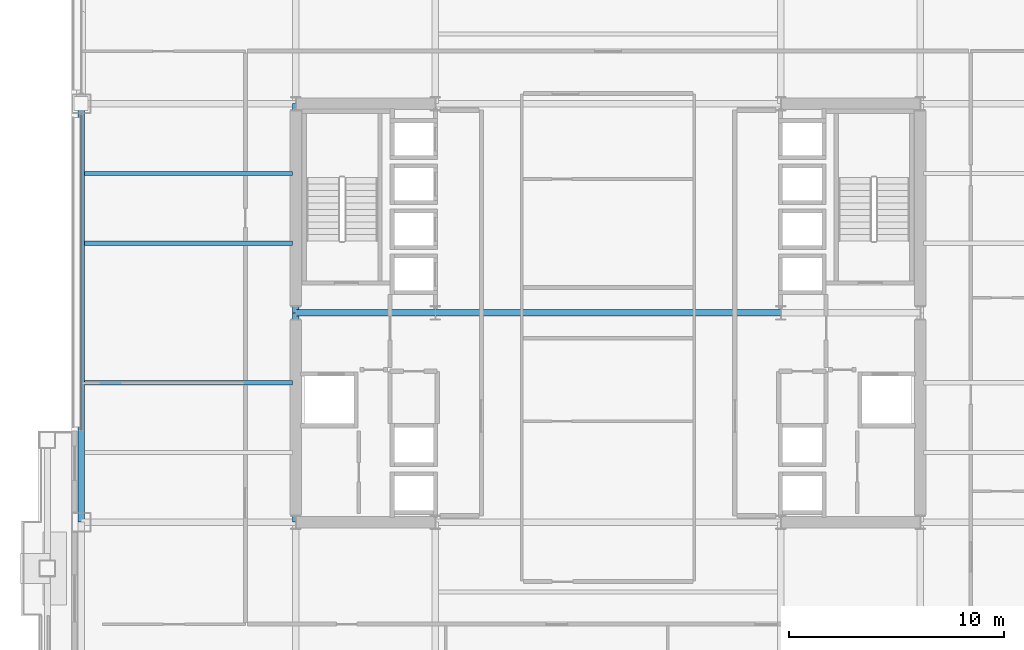
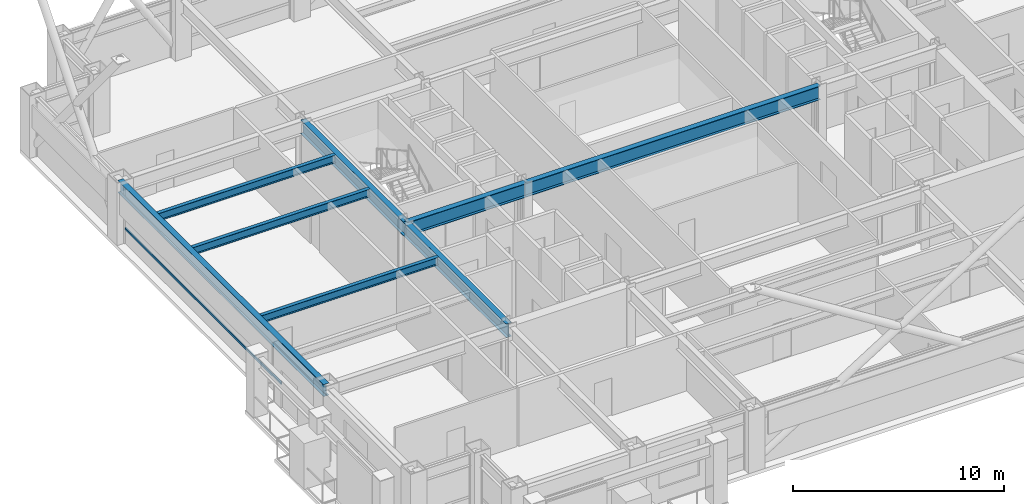
# One storey, part 7 of 30: 8 beams, 1 member, 1 element without a shape of its own.
"""IFC4 building model written with IfcOpenShell, lengths in metres."""

import ifcopenshell
import ifcopenshell.guid

model = None  # the IFC model being written
_history = None  # IfcOwnerHistory: only IFC2X3 demands one
_inside = {}  # id of a spatial element -> (the spatial element, [elements in it])
_under = {}  # id of a project, library or spatial element -> (it, [spatial elements below it])
_declared = {}  # id of a project -> (the project, [libraries it declares])
_typed = {}  # id of a type object -> (the type object, [elements of that type])
_made_of = {}  # id of a material, layer set ... -> (it, [elements and type objects made of it])


def new_model(schema):
    """Start an empty IFC model of exactly this schema.

    Asked for "IFC4X3", IfcOpenShell would pick the latest addendum, in which some entities
    have other attributes; the version numbers below select the first issue.
    IFC2X3 requires an IfcOwnerHistory on every rooted entity: one is made here for all.
    """
    global model, _history
    if schema == "IFC4X3":
        model = ifcopenshell.file(schema_version=(4, 3, 0, 0))
    else:
        model = ifcopenshell.file(schema=schema)
    _inside.clear()
    _under.clear()
    _declared.clear()
    _typed.clear()
    _made_of.clear()
    _history = None
    if model.schema == "IFC2X3":
        org = make("IfcOrganization", Name="unknown")
        user = make(
            "IfcPersonAndOrganization",
            ThePerson=make("IfcPerson", FamilyName="unknown"),
            TheOrganization=org,
        )
        app = make(
            "IfcApplication",
            ApplicationDeveloper=org,
            Version="unknown",
            ApplicationFullName="unknown",
            ApplicationIdentifier="unknown",
        )
        _history = make(
            "IfcOwnerHistory",
            OwningUser=user,
            OwningApplication=app,
            ChangeAction="ADDED",
            CreationDate=0,
        )
    return model


def make(cls, **values):
    """One entity of the class cls with the attributes given. An attribute that is None is left unset."""
    return model.create_entity(
        cls, **{name: value for name, value in values.items() if value is not None}
    )


def rooted(cls, **values):
    """An entity with a GlobalId (a new one), such as an element, a storey or a relation."""
    return make(cls, GlobalId=ifcopenshell.guid.new(), OwnerHistory=_history, **values)


def si_unit(unit_type, name, prefix=None):
    """IfcSIUnit, for example si_unit("LENGTHUNIT", "METRE", prefix="MILLI")."""
    return make("IfcSIUnit", UnitType=unit_type, Prefix=prefix, Name=name)


def assignment(units):
    """IfcUnitAssignment: the units of a project."""
    return None if units is None else make("IfcUnitAssignment", Units=units)


def point(xyz):
    """IfcCartesianPoint."""
    return None if xyz is None else make("IfcCartesianPoint", Coordinates=xyz)


def direction(xyz):
    """IfcDirection."""
    return None if xyz is None else make("IfcDirection", DirectionRatios=xyz)


def frame(location, z_axis=None, x_axis=None):
    """IfcAxis2Placement3D, a coordinate frame: its origin and axes. An axis left out is left unset."""
    return make(
        "IfcAxis2Placement3D",
        Location=point(location),
        Axis=direction(z_axis),
        RefDirection=direction(x_axis),
    )


def frame_2d(location, x_axis=None):
    """IfcAxis2Placement2D, a coordinate frame in the plane: its origin and x axis."""
    return make(
        "IfcAxis2Placement2D", Location=point(location), RefDirection=direction(x_axis)
    )


def origin():
    """The frame at (0, 0, 0) with its axes left unset."""
    return frame((0.0, 0.0, 0.0))


def origin_2d():
    """The frame at (0, 0) in the plane with its x axis left unset."""
    return frame_2d((0.0, 0.0))


def place(relative_to, where):
    """IfcLocalPlacement: puts the frame where relative to a parent placement (None: the world)."""
    return make(
        "IfcLocalPlacement", PlacementRelTo=relative_to, RelativePlacement=where
    )


def context(
    kind, dimensions, precision=None, world=None, true_north=None, identifier=None
):
    """IfcGeometricRepresentationContext, for example the 3D "Model" context."""
    return make(
        "IfcGeometricRepresentationContext",
        ContextIdentifier=identifier,
        ContextType=kind,
        CoordinateSpaceDimension=dimensions,
        Precision=precision,
        WorldCoordinateSystem=world,
        TrueNorth=true_north,
    )


def subcontext(parent, identifier, kind, view, scale=None):
    """IfcGeometricRepresentationSubContext, for example "Body" below "Model"."""
    return make(
        "IfcGeometricRepresentationSubContext",
        ContextIdentifier=identifier,
        ContextType=kind,
        ParentContext=parent,
        TargetScale=scale,
        TargetView=view,
    )


def project(units=None, contexts=None):
    """IfcProject with its units and contexts."""
    return rooted(
        "IfcProject",
        Name="project",
        RepresentationContexts=contexts,
        UnitsInContext=assignment(units),
    )


def spatial(cls, under=None, at=None, **own):
    """A site, building, storey or space (cls), placed at a placement, below another one or the project."""
    s = rooted(cls, ObjectPlacement=at, **own)
    if under is not None:
        _under.setdefault(under.id(), (under, []))[1].append(s)
    return s


def profile(cls, at=None, kind="AREA", **sizes):
    """A parametric profile (cls). Its sizes go by their IFC names, for example OverallWidth=200.0."""
    return make(cls, ProfileType=kind, Position=at, **sizes)


def hollow_rectangle(**sizes):
    """IfcRectangleHollowProfileDef."""
    return profile("IfcRectangleHollowProfileDef", **sizes)


def i_section(**sizes):
    """IfcIShapeProfileDef."""
    return profile("IfcIShapeProfileDef", **sizes)


def extrude(swept, where, along, depth):
    """IfcExtrudedAreaSolid: the profile swept, set in the frame where, extruded along a direction by depth."""
    return make(
        "IfcExtrudedAreaSolid",
        SweptArea=swept,
        Position=where,
        ExtrudedDirection=direction(along),
        Depth=depth,
    )


def shape(context_of_items, identifier, shape_type, items):
    """IfcShapeRepresentation: the items that make up one representation, for example the "Body"."""
    return make(
        "IfcShapeRepresentation",
        ContextOfItems=context_of_items,
        RepresentationIdentifier=identifier,
        RepresentationType=shape_type,
        Items=items,
    )


def material(Name=None, Category=None):
    """IfcMaterial."""
    return make("IfcMaterial", Name=Name, Category=Category)


def layer(
    of_material, thickness, ventilated=None, Name=None, Category=None, Priority=None
):
    """IfcMaterialLayer: one layer of a wall or slab, of a material (None: an air gap)."""
    return make(
        "IfcMaterialLayer",
        Material=of_material,
        LayerThickness=thickness,
        IsVentilated=ventilated,
        Name=Name,
        Category=Category,
        Priority=Priority,
    )


def layer_set(layers, Name=None):
    """IfcMaterialLayerSet."""
    return make("IfcMaterialLayerSet", MaterialLayers=layers, LayerSetName=Name)


def material_profile(
    of_material, cross_section, Name=None, Category=None, Priority=None
):
    """IfcMaterialProfile: a cross section and its material."""
    return make(
        "IfcMaterialProfile",
        Name=Name,
        Material=of_material,
        Profile=cross_section,
        Priority=Priority,
        Category=Category,
    )


def profile_set(profiles, Name=None, composite=None):
    """IfcMaterialProfileSet."""
    return make(
        "IfcMaterialProfileSet",
        Name=Name,
        MaterialProfiles=profiles,
        CompositeProfile=composite,
    )


def made_of(thing, what):
    """Note that an element or type object is made of a material, layer set ...; save() writes the relation."""
    if what is not None:
        _made_of.setdefault(what.id(), (what, []))[1].append(thing)
    return thing


def type_object(cls, material=None, **own):
    """A type object (cls), such as IfcWallType, which elements share."""
    return made_of(rooted(cls, **own), material)


def element(
    cls,
    number,
    at=None,
    inside=None,
    cuts=None,
    type_object=None,
    material=None,
    context=None,
    identifier="Body",
    shape_type=None,
    held_by="IfcProductDefinitionShape",
    body=None,
    shapes=None,
    **own,
):
    """One element of the class cls, such as IfcWall. Its Tag is "e" and its number.

    at: its placement. inside: the storey or other place that contains it. cuts: it is an
    opening in that element (IfcRelVoidsElement). A single representation is given by context,
    identifier, shape_type and body (its items); several are given by shapes. held_by: the class
    of the entity that holds the representations. save() writes the other relations.
    """
    e = rooted(cls, Tag="e%d" % number, ObjectPlacement=at, **own)
    if body is not None:
        shapes = [shape(context, identifier, shape_type, body)]
    if shapes is not None:
        e.Representation = make(held_by, Representations=shapes)
    if inside is not None:
        _inside.setdefault(inside.id(), (inside, []))[1].append(e)
    if cuts is not None:
        rooted(
            "IfcRelVoidsElement", RelatingBuildingElement=cuts, RelatedOpeningElement=e
        )
    if type_object is not None:
        _typed.setdefault(type_object.id(), (type_object, []))[1].append(e)
    return made_of(e, material)


def aggregate(whole, parts):
    """IfcRelAggregates: a whole, such as a stair, and the parts it consists of."""
    return rooted("IfcRelAggregates", RelatingObject=whole, RelatedObjects=parts)


def save(model, path):
    """Write the relations noted so far, then the file.

    IfcRelAggregates (storeys below a building ...), IfcRelContainedInSpatialStructure (elements
    in a storey), IfcRelDefinesByType, IfcRelAssociatesMaterial and IfcRelDeclares: one each for
    every whole, place, type object, material and project.
    """
    for whole, parts in _under.values():
        aggregate(whole, parts)
    for where, things in _inside.values():
        rooted(
            "IfcRelContainedInSpatialStructure",
            RelatedElements=things,
            RelatingStructure=where,
        )
    for kind, things in _typed.values():
        rooted("IfcRelDefinesByType", RelatedObjects=things, RelatingType=kind)
    for what, things in _made_of.values():
        rooted("IfcRelAssociatesMaterial", RelatedObjects=things, RelatingMaterial=what)
    for by, libraries in _declared.values():
        rooted("IfcRelDeclares", RelatingContext=by, RelatedDefinitions=libraries)
    model.write(path)


model = new_model("IFC4")

# Units and contexts
model_context = context("Model", 3, precision=1e-05, world=origin(), true_north=direction((0.0, 1.0)))
body_context = subcontext(model_context, "Body", "Model", "MODEL_VIEW")
ifc_project = project(units=[si_unit("LENGTHUNIT", "METRE"), si_unit("AREAUNIT", "SQUARE_METRE"), si_unit("VOLUMEUNIT", "CUBIC_METRE"), si_unit("PLANEANGLEUNIT", "RADIAN"), si_unit("MASSUNIT", "GRAM", prefix="KILO")], contexts=[model_context])

# Site, building, storey
site_placement = place(None, origin())
site = spatial("IfcSite", under=ifc_project, at=site_placement, CompositionType="ELEMENT")
building_placement = place(site_placement, origin())
building = spatial("IfcBuilding", under=site, at=building_placement, Name="Brelmoor Portico Tower", CompositionType="ELEMENT")
storey_placement = place(building_placement, frame((0.0, 0.0, 56.39990234375)))
storey = spatial("IfcBuildingStorey", under=building, at=storey_placement, Name="L14", CompositionType="ELEMENT", Elevation=56.39990234375)

# Beams
ifc_material_1 = material(Name="Steel Q355B", Category="steel")
ifc_material_profile_1 = material_profile(ifc_material_1, i_section(OverallWidth=0.199951171875, OverallDepth=0.449951171875, WebThickness=0.009033203125, FlangeThickness=0.013916015625, at=origin_2d()), Name="HN 450x200x9x14")
ifc_profile_set_1 = profile_set([ifc_material_profile_1], Name="Steel Q355B")
beam_type_1 = type_object("IfcBeamType", Name="BM-JS-450", PredefinedType="JOIST", material=ifc_profile_set_1)
for number, where, z_axis, x_axis, name in (
    (1, (-24.39990234375, -3.25, 3.175048828125), (1.0, 0.0, 0.0), (0.0, 1.0, 0.0), "L14 Secondary Wing Joist JS-W06"),
    (2, (-24.39990234375, 3.25, 3.175048828125), (1.0, 0.0, 0.0), (0.0, 1.0, 0.0), "L14 Secondary Wing Joist JS-W07"),
    (3, (-24.39990234375, 6.5, 3.175048828125), (1.0, 0.0, 0.0), (0.0, 1.0, 0.0), "L14 Secondary Wing Joist JS-W08"),
):
    element("IfcBeam", number, at=place(storey_placement, frame(where, z_axis=z_axis, x_axis=x_axis)), inside=storey, type_object=beam_type_1, Name=name, PredefinedType="JOIST", context=body_context, shape_type="SweptSolid", body=[
        extrude(i_section(OverallWidth=0.199951171875, OverallDepth=0.449951171875, WebThickness=0.009033203125, FlangeThickness=0.013916015625, at=origin_2d()), origin(), (0.0, 0.0, 1.0), 9.699951171875),
    ])
ifc_material_profile_2 = material_profile(ifc_material_1, i_section(OverallWidth=0.300048828125, OverallDepth=0.800048828125, WebThickness=0.013916015625, FlangeThickness=0.02587890625, at=origin_2d()), Name="HN 800x300x14x26")
ifc_profile_set_2 = profile_set([ifc_material_profile_2], Name="Steel Q355B")
beam_type_2 = type_object("IfcBeamType", Name="BM-PG-800", PredefinedType="BEAM", material=ifc_profile_set_2)
for number, where, z_axis, x_axis, name in (
    (4, (-14.550048828125, -9.75, 3.0), (0.0, 1.0, 0.0), (-1.0, 0.0, 0.0), "L14 Primary Floor Girder PG-04"),
    (5, (-14.550048828125, 0.0, 3.0), (0.0, 1.0, 0.0), (-1.0, 0.0, 0.0), "L14 Primary Floor Girder PG-05"),
):
    element("IfcBeam", number, at=place(storey_placement, frame(where, z_axis=z_axis, x_axis=x_axis)), inside=storey, type_object=beam_type_2, Name=name, PredefinedType="BEAM", context=body_context, shape_type="SweptSolid", body=[
        extrude(i_section(OverallWidth=0.300048828125, OverallDepth=0.800048828125, WebThickness=0.013916015625, FlangeThickness=0.02587890625, at=origin_2d()), origin(), (0.0, 0.0, 1.0), 9.75),
    ])
beam_1_placement = place(storey_placement, frame((-14.550048828125, 0.0, 3.0), z_axis=(1.0, 0.0, 0.0), x_axis=(0.0, 1.0, 0.0)))
element("IfcBeam", 6, at=beam_1_placement, inside=storey, type_object=beam_type_2, Name="L14 Primary Floor Girder PG-24", PredefinedType="BEAM", context=body_context, shape_type="SweptSolid", body=[
    extrude(i_section(OverallWidth=0.300048828125, OverallDepth=0.800048828125, WebThickness=0.013916015625, FlangeThickness=0.02587890625, at=origin_2d()), origin(), (0.0, 0.0, 1.0), 6.5),
])
beam_2_placement = place(storey_placement, frame((-8.050048828125, 0.0, 3.0), z_axis=(1.0, 0.0, 0.0), x_axis=(0.0, 1.0, 0.0)))
element("IfcBeam", 7, at=beam_2_placement, inside=storey, type_object=beam_type_2, Name="L14 Primary Floor Girder PG-25", PredefinedType="BEAM", context=body_context, shape_type="SweptSolid", body=[
    extrude(i_section(OverallWidth=0.300048828125, OverallDepth=0.800048828125, WebThickness=0.013916015625, FlangeThickness=0.02587890625, at=origin_2d()), origin(), (0.0, 0.0, 1.0), 16.10009765625),
])
ifc_material_profile_3 = material_profile(ifc_material_1, i_section(OverallWidth=0.300048828125, OverallDepth=0.699951171875, WebThickness=0.012939453125, FlangeThickness=0.02392578125, at=origin_2d()), Name="HN 700x300x13x24")
ifc_profile_set_3 = profile_set([ifc_material_profile_3], Name="Steel Q355B")
beam_type_3 = type_object("IfcBeamType", Name="BM-SP-700", PredefinedType="SPANDREL", material=ifc_profile_set_3)
beam_3_placement = place(storey_placement, frame((-24.550048828125, -9.75, 3.050048828125), z_axis=(0.0, 1.0, 0.0), x_axis=(-1.0, 0.0, 0.0)))
element("IfcBeam", 8, at=beam_3_placement, inside=storey, type_object=beam_type_3, Name="L14 Perimeter Spandrel Beam SP-16", PredefinedType="SPANDREL", context=body_context, shape_type="SweptSolid", body=[
    extrude(i_section(OverallWidth=0.300048828125, OverallDepth=0.699951171875, WebThickness=0.012939453125, FlangeThickness=0.02392578125, at=origin_2d()), origin(), (0.0, 0.0, 1.0), 19.5),
])

# Curtain wall, member
ifc_material_2 = material(Name="Anodised Aluminium Alloy 6063-T6", Category="aluminium")
ifc_layer = layer(ifc_material_2, 0.179931640625)
ifc_layer_set = layer_set([ifc_layer], Name="Anodised Aluminium Alloy 6063-T6")
curtain_wall_type = type_object("IfcCurtainWallType", Name="CW-TOWER-Z1", PredefinedType="NOTDEFINED", material=ifc_layer_set)
curtain_wall_placement = place(storey_placement, origin())
curtain_wall = element("IfcCurtainWall", 9, at=curtain_wall_placement, inside=storey, type_object=curtain_wall_type, Name="L14 Curtain Wall CW-L14-3R-1", PredefinedType="NOTDEFINED")
ifc_material_profile_4 = material_profile(ifc_material_2, hollow_rectangle(XDim=0.06494140625, YDim=0.139892578125, WallThickness=0.00390625, at=origin_2d()), Name="ALU TRANSOM 65x140")
ifc_profile_set_4 = profile_set([ifc_material_profile_4], Name="Anodised Aluminium Alloy 6063-T6")
member_type = type_object("IfcMemberType", Name="MB-CW-TRAN-140", PredefinedType="USERDEFINED", material=ifc_profile_set_4)
member_placement = place(storey_placement, frame((-24.550048828125, -5.5, 0.85009765625), z_axis=(0.0, 1.0, 0.0), x_axis=(-1.0, 0.0, 0.0)))
member = element("IfcMember", 10, at=member_placement, type_object=member_type, Name="CW-L14-3R-1 Transom 1-00", ObjectType="TRANSOM", PredefinedType="USERDEFINED", context=body_context, shape_type="SweptSolid", body=[
    extrude(hollow_rectangle(XDim=0.06494140625, YDim=0.139892578125, WallThickness=0.00390625, at=origin_2d()), origin(), (0.0, 0.0, 1.0), 14.7900390625),
])
aggregate(curtain_wall, [member])

save(model, "model.ifc")
